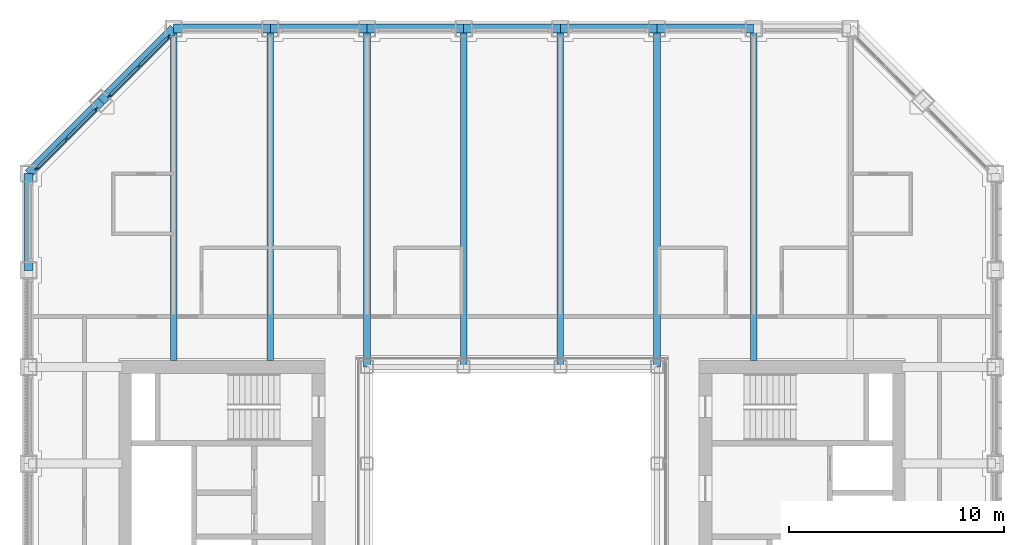
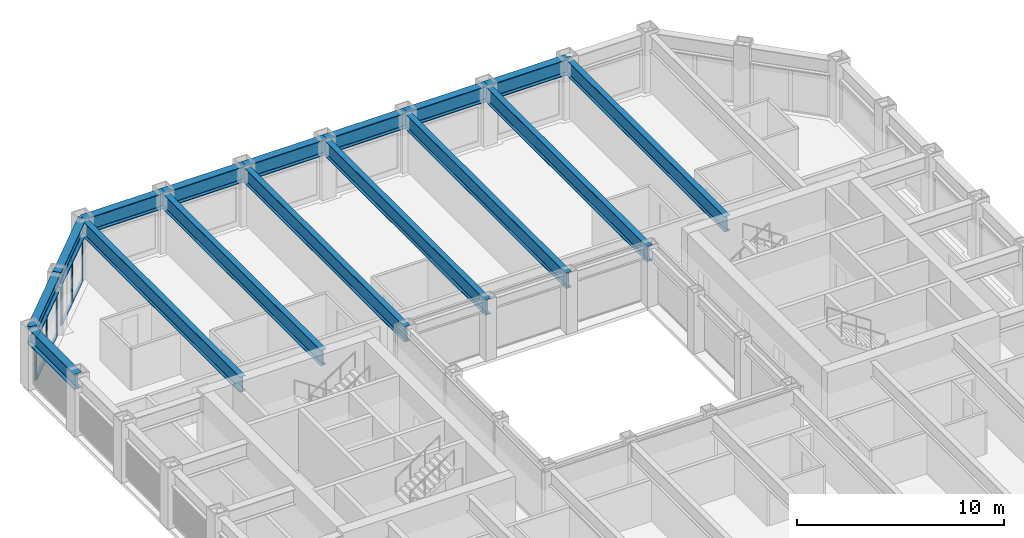
# One storey, part 7 of 17: 16 beams, 14 members, 2 elements without a shape of their own.
"""IFC4 building model written with IfcOpenShell, lengths in metres."""

from ifc_helpers import new_model, si_unit, direction, frame, origin, origin_2d, place, context, subcontext, project, spatial, rectangle, i_section, extrude, material, material_profile, profile_set, type_object, element, aggregate, save


model = new_model("IFC4")

# Units and contexts
model_context = context("Model", 3, precision=1e-05, world=origin(), true_north=direction((0.0, 1.0)))
body_context = subcontext(model_context, "Body", "Model", "MODEL_VIEW")
ifc_project = project(units=[si_unit("LENGTHUNIT", "METRE"), si_unit("AREAUNIT", "SQUARE_METRE"), si_unit("VOLUMEUNIT", "CUBIC_METRE"), si_unit("PLANEANGLEUNIT", "RADIAN"), si_unit("MASSUNIT", "GRAM", prefix="KILO")], contexts=[model_context])

# Site, building, storey
site_placement = place(None, origin())
site = spatial("IfcSite", under=ifc_project, at=site_placement, CompositionType="ELEMENT")
building_placement = place(site_placement, origin())
building = spatial("IfcBuilding", under=site, at=building_placement, Name="Msasa Ring Tower", CompositionType="ELEMENT")
storey_placement = place(building_placement, frame((0.0, 0.0, 136.39990234375)))
storey = spatial("IfcBuildingStorey", under=building, at=storey_placement, Name="L35", CompositionType="ELEMENT", Elevation=136.39990234375)

# Curtain wall, members
ifc_material_1 = material(Name="Aluminium curtain wall with clear glass", Category="aluminium")
curtain_wall_type = type_object("IfcCurtainWallType", Name="CW-C CHAMFER CORNER CURTAIN WALL", PredefinedType="NOTDEFINED", material=ifc_material_1)
curtain_wall_1_placement = place(storey_placement, origin())
curtain_wall_1 = element("IfcCurtainWall", 1, at=curtain_wall_1_placement, inside=storey, type_object=curtain_wall_type, Name="Chamfer corner curtain wall NW L35", PredefinedType="NOTDEFINED")
ifc_material_2 = material(Name="Aluminium mullion", Category="aluminium")
ifc_material_profile_1 = material_profile(ifc_material_2, rectangle(XDim=0.06494140625, YDim=0.179931640625, at=origin_2d()), Name="AL 65x180")
ifc_profile_set_1 = profile_set([ifc_material_profile_1], Name="Aluminium mullion")
member_type_1 = type_object("IfcMemberType", Name="CW-C MULLION 65x180", PredefinedType="MULLION", material=ifc_profile_set_1)
member_1_placement = place(storey_placement, frame((-19.36376953125, 18.744873046875, 0.0), z_axis=(0.0, 0.0, 1.0), x_axis=(0.707106781187, -0.707106781187, 0.0)))
member_1 = element("IfcMember", 2, at=member_1_placement, type_object=member_type_1, Name="CW-C mullion 1", PredefinedType="MULLION", context=body_context, shape_type="SweptSolid", body=[
    extrude(rectangle(XDim=0.06494140625, YDim=0.179931640625, at=origin_2d()), origin(), (0.0, 0.0, 1.0), 2.47900390625),
])
member_2_placement = place(storey_placement, frame((-20.74169921875, 17.36669921875, 0.0), z_axis=(0.0, 0.0, 1.0), x_axis=(0.707106781187, -0.707106781187, 0.0)))
member_2 = element("IfcMember", 3, at=member_2_placement, type_object=member_type_1, Name="CW-C mullion 2", PredefinedType="MULLION", context=body_context, shape_type="SweptSolid", body=[
    extrude(rectangle(XDim=0.06494140625, YDim=0.179931640625, at=origin_2d()), origin(), (0.0, 0.0, 1.0), 2.47900390625),
])
member_3_placement = place(storey_placement, frame((-22.119873046875, 15.98876953125, 0.0), z_axis=(0.0, 0.0, 1.0), x_axis=(0.707106781187, -0.707106781187, 0.0)))
member_3 = element("IfcMember", 4, at=member_3_placement, type_object=member_type_1, Name="CW-C mullion 3", PredefinedType="MULLION", context=body_context, shape_type="SweptSolid", body=[
    extrude(rectangle(XDim=0.06494140625, YDim=0.179931640625, at=origin_2d()), origin(), (0.0, 0.0, 1.0), 2.47900390625),
])

curtain_wall_2_placement = place(storey_placement, origin())
curtain_wall_2 = element("IfcCurtainWall", 5, at=curtain_wall_2_placement, inside=storey, type_object=curtain_wall_type, Name="Chamfer corner curtain wall NW L35", PredefinedType="NOTDEFINED")
member_4_placement = place(storey_placement, frame((-15.98876953125, 22.119873046875, 0.0), z_axis=(0.0, 0.0, 1.0), x_axis=(0.707106781187, -0.707106781187, 0.0)))
member_4 = element("IfcMember", 6, at=member_4_placement, type_object=member_type_1, Name="CW-C mullion 1", PredefinedType="MULLION", context=body_context, shape_type="SweptSolid", body=[
    extrude(rectangle(XDim=0.06494140625, YDim=0.179931640625, at=origin_2d()), origin(), (0.0, 0.0, 1.0), 2.47900390625),
])
member_5_placement = place(storey_placement, frame((-17.36669921875, 20.74169921875, 0.0), z_axis=(0.0, 0.0, 1.0), x_axis=(0.707106781187, -0.707106781187, 0.0)))
member_5 = element("IfcMember", 7, at=member_5_placement, type_object=member_type_1, Name="CW-C mullion 2", PredefinedType="MULLION", context=body_context, shape_type="SweptSolid", body=[
    extrude(rectangle(XDim=0.06494140625, YDim=0.179931640625, at=origin_2d()), origin(), (0.0, 0.0, 1.0), 2.47900390625),
])
member_6_placement = place(storey_placement, frame((-18.744873046875, 19.36376953125, 0.0), z_axis=(0.0, 0.0, 1.0), x_axis=(0.707106781187, -0.707106781187, 0.0)))
member_6 = element("IfcMember", 8, at=member_6_placement, type_object=member_type_1, Name="CW-C mullion 3", PredefinedType="MULLION", context=body_context, shape_type="SweptSolid", body=[
    extrude(rectangle(XDim=0.06494140625, YDim=0.179931640625, at=origin_2d()), origin(), (0.0, 0.0, 1.0), 2.47900390625),
])

# Member
ifc_material_3 = material(Name="Aluminium transom", Category="aluminium")
ifc_material_profile_2 = material_profile(ifc_material_3, rectangle(XDim=0.139892578125, YDim=0.06494140625, at=origin_2d()), Name="AL 65x140")
ifc_profile_set_2 = profile_set([ifc_material_profile_2], Name="Aluminium transom")
member_type_2 = type_object("IfcMemberType", Name="CW-C TRANSOM 65x140", PredefinedType="USERDEFINED", material=ifc_profile_set_2)
member_7_placement = place(storey_placement, frame((-19.38671875, 18.721923828125, 0.03271484375), z_axis=(-0.707106781187, -0.707106781187, 0.0), x_axis=(0.707106781187, -0.707106781187, 0.0)))
member_7 = element("IfcMember", 9, at=member_7_placement, type_object=member_type_2, Name="CW-C transom 1.1", ObjectType="TRANSOM", PredefinedType="USERDEFINED", context=body_context, shape_type="SweptSolid", body=[
    extrude(rectangle(XDim=0.139892578125, YDim=0.06494140625, at=origin_2d()), origin(), (0.0, 0.0, 1.0), 1.8837890625),
])

member_8_placement = place(storey_placement, frame((-19.38671875, 18.721923828125, 2.446533203125), z_axis=(-0.707106781187, -0.707106781187, 0.0), x_axis=(0.707106781187, -0.707106781187, 0.0)))
member_8 = element("IfcMember", 10, at=member_8_placement, type_object=member_type_2, Name="CW-C transom 1.2", ObjectType="TRANSOM", PredefinedType="USERDEFINED", context=body_context, shape_type="SweptSolid", body=[
    extrude(rectangle(XDim=0.139892578125, YDim=0.06494140625, at=origin_2d()), origin(), (0.0, 0.0, 1.0), 1.8837890625),
])

member_9_placement = place(storey_placement, frame((-20.764892578125, 17.34375, 0.03271484375), z_axis=(-0.707106781187, -0.707106781187, 0.0), x_axis=(0.707106781187, -0.707106781187, 0.0)))
member_9 = element("IfcMember", 11, at=member_9_placement, type_object=member_type_2, Name="CW-C transom 2.1", ObjectType="TRANSOM", PredefinedType="USERDEFINED", context=body_context, shape_type="SweptSolid", body=[
    extrude(rectangle(XDim=0.139892578125, YDim=0.06494140625, at=origin_2d()), origin(), (0.0, 0.0, 1.0), 1.8837890625),
])

member_10_placement = place(storey_placement, frame((-20.764892578125, 17.34375, 2.446533203125), z_axis=(-0.707106781187, -0.707106781187, 0.0), x_axis=(0.707106781187, -0.707106781187, 0.0)))
member_10 = element("IfcMember", 12, at=member_10_placement, type_object=member_type_2, Name="CW-C transom 2.2", ObjectType="TRANSOM", PredefinedType="USERDEFINED", context=body_context, shape_type="SweptSolid", body=[
    extrude(rectangle(XDim=0.139892578125, YDim=0.06494140625, at=origin_2d()), origin(), (0.0, 0.0, 1.0), 1.8837890625),
])

aggregate(curtain_wall_1, [member_1, member_2, member_3, member_7, member_8, member_9, member_10])

member_11_placement = place(storey_placement, frame((-16.01171875, 22.096923828125, 0.03271484375), z_axis=(-0.707106781187, -0.707106781187, 0.0), x_axis=(0.707106781187, -0.707106781187, 0.0)))
member_11 = element("IfcMember", 13, at=member_11_placement, type_object=member_type_2, Name="CW-C transom 1.1", ObjectType="TRANSOM", PredefinedType="USERDEFINED", context=body_context, shape_type="SweptSolid", body=[
    extrude(rectangle(XDim=0.139892578125, YDim=0.06494140625, at=origin_2d()), origin(), (0.0, 0.0, 1.0), 1.8837890625),
])

member_12_placement = place(storey_placement, frame((-16.01171875, 22.096923828125, 2.446533203125), z_axis=(-0.707106781187, -0.707106781187, 0.0), x_axis=(0.707106781187, -0.707106781187, 0.0)))
member_12 = element("IfcMember", 14, at=member_12_placement, type_object=member_type_2, Name="CW-C transom 1.2", ObjectType="TRANSOM", PredefinedType="USERDEFINED", context=body_context, shape_type="SweptSolid", body=[
    extrude(rectangle(XDim=0.139892578125, YDim=0.06494140625, at=origin_2d()), origin(), (0.0, 0.0, 1.0), 1.8837890625),
])

member_13_placement = place(storey_placement, frame((-17.389892578125, 20.71875, 0.03271484375), z_axis=(-0.707106781187, -0.707106781187, 0.0), x_axis=(0.707106781187, -0.707106781187, 0.0)))
member_13 = element("IfcMember", 15, at=member_13_placement, type_object=member_type_2, Name="CW-C transom 2.1", ObjectType="TRANSOM", PredefinedType="USERDEFINED", context=body_context, shape_type="SweptSolid", body=[
    extrude(rectangle(XDim=0.139892578125, YDim=0.06494140625, at=origin_2d()), origin(), (0.0, 0.0, 1.0), 1.8837890625),
])

member_14_placement = place(storey_placement, frame((-17.389892578125, 20.71875, 2.446533203125), z_axis=(-0.707106781187, -0.707106781187, 0.0), x_axis=(0.707106781187, -0.707106781187, 0.0)))
member_14 = element("IfcMember", 16, at=member_14_placement, type_object=member_type_2, Name="CW-C transom 2.2", ObjectType="TRANSOM", PredefinedType="USERDEFINED", context=body_context, shape_type="SweptSolid", body=[
    extrude(rectangle(XDim=0.139892578125, YDim=0.06494140625, at=origin_2d()), origin(), (0.0, 0.0, 1.0), 1.8837890625),
])

aggregate(curtain_wall_2, [member_4, member_5, member_6, member_11, member_12, member_13, member_14])

# Beams
ifc_material_4 = material(Name="Steel S355", Category="steel")
ifc_material_profile_3 = material_profile(ifc_material_4, i_section(OverallWidth=0.3076171875, OverallDepth=0.926513671875, WebThickness=0.01953125, FlangeThickness=0.031982421875, FilletRadius=0.01904296875, at=origin_2d()), Name="UB 914x305x289")
ifc_profile_set_3 = profile_set([ifc_material_profile_3], Name="Steel S355")
beam_type_1 = type_object("IfcBeamType", Name="FB3 UB 914x305x289", PredefinedType="BEAM", material=ifc_profile_set_3)
for number, where, z_axis, x_axis, name in (
    (17, (-15.75, 22.5, 2.936767578125), (0.0, -1.0, 0.0), (1.0, 0.0, 0.0), "Floor beam N-15.75 under L36"),
    (18, (-11.25, 22.5, 2.936767578125), (0.0, -1.0, 0.0), (1.0, 0.0, 0.0), "Floor beam N-11.25 under L36"),
):
    element("IfcBeam", number, at=place(storey_placement, frame(where, z_axis=z_axis, x_axis=x_axis)), inside=storey, type_object=beam_type_1, Name=name, PredefinedType="BEAM", context=body_context, shape_type="SweptSolid", body=[
        extrude(i_section(OverallWidth=0.3076171875, OverallDepth=0.926513671875, WebThickness=0.01953125, FlangeThickness=0.031982421875, FilletRadius=0.01904296875, at=origin_2d()), origin(), (0.0, 0.0, 1.0), 15.449951171875),
    ])
for number, where, z_axis, x_axis, name in (
    (19, (-6.75, 22.5, 2.936767578125), (0.0, -1.0, 0.0), (1.0, 0.0, 0.0), "Floor beam N-6.75 under L36"),
    (20, (-2.25, 22.5, 2.936767578125), (0.0, -1.0, 0.0), (1.0, 0.0, 0.0), "Floor beam N-2.25 under L36"),
    (21, (2.25, 22.5, 2.936767578125), (0.0, -1.0, 0.0), (1.0, 0.0, 0.0), "Floor beam N+2.25 under L36"),
    (22, (6.75, 22.5, 2.936767578125), (0.0, -1.0, 0.0), (1.0, 0.0, 0.0), "Floor beam N+6.75 under L36"),
):
    element("IfcBeam", number, at=place(storey_placement, frame(where, z_axis=z_axis, x_axis=x_axis)), inside=storey, type_object=beam_type_1, Name=name, PredefinedType="BEAM", context=body_context, shape_type="SweptSolid", body=[
        extrude(i_section(OverallWidth=0.3076171875, OverallDepth=0.926513671875, WebThickness=0.01953125, FlangeThickness=0.031982421875, FilletRadius=0.01904296875, at=origin_2d()), origin(), (0.0, 0.0, 1.0), 15.75),
    ])
beam_1_placement = place(storey_placement, frame((11.25, 22.5, 2.936767578125), z_axis=(0.0, -1.0, 0.0), x_axis=(1.0, 0.0, 0.0)))
element("IfcBeam", 23, at=beam_1_placement, inside=storey, type_object=beam_type_1, Name="Floor beam N+11.25 under L36", PredefinedType="BEAM", context=body_context, shape_type="SweptSolid", body=[
    extrude(i_section(OverallWidth=0.3076171875, OverallDepth=0.926513671875, WebThickness=0.01953125, FlangeThickness=0.031982421875, FilletRadius=0.01904296875, at=origin_2d()), origin(), (0.0, 0.0, 1.0), 15.449951171875),
])
ifc_material_5 = material(Name="Steel S355", Category="steel")
ifc_material_profile_4 = material_profile(ifc_material_5, i_section(OverallWidth=0.42041015625, OverallDepth=0.9208984375, WebThickness=0.021484375, FlangeThickness=0.03662109375, FilletRadius=0.024169921875, at=origin_2d()), Name="UB 914x419x388")
ifc_profile_set_4 = profile_set([ifc_material_profile_4], Name="Steel S355")
beam_type_2 = type_object("IfcBeamType", Name="SB1 UB 914x419x388", PredefinedType="SPANDREL", material=ifc_profile_set_4)
for number, where, z_axis, x_axis, name in (
    (24, (11.25, 22.5, 2.939697265625), (-1.0, 0.0, 0.0), (0.0, -1.0, 0.0), "Spandrel N+11.25 to N+6.75 under L36"),
    (25, (6.75, 22.5, 2.939697265625), (-1.0, 0.0, 0.0), (0.0, -1.0, 0.0), "Spandrel N+6.75 to N+2.25 under L36"),
    (26, (2.25, 22.5, 2.939697265625), (-1.0, 0.0, 0.0), (0.0, -1.0, 0.0), "Spandrel N+2.25 to N-2.25 under L36"),
    (27, (-2.25, 22.5, 2.939697265625), (-1.0, 0.0, 0.0), (0.0, -1.0, 0.0), "Spandrel N-2.25 to N-6.75 under L36"),
    (28, (-6.75, 22.5, 2.939697265625), (-1.0, 0.0, 0.0), (0.0, -1.0, 0.0), "Spandrel N-6.75 to N-11.25 under L36"),
    (29, (-11.25, 22.5, 2.939697265625), (-1.0, 0.0, 0.0), (0.0, -1.0, 0.0), "Spandrel N-11.25 to N-15.75 under L36"),
):
    element("IfcBeam", number, at=place(storey_placement, frame(where, z_axis=z_axis, x_axis=x_axis)), inside=storey, type_object=beam_type_2, Name=name, PredefinedType="SPANDREL", context=body_context, shape_type="SweptSolid", body=[
        extrude(i_section(OverallWidth=0.42041015625, OverallDepth=0.9208984375, WebThickness=0.021484375, FlangeThickness=0.03662109375, FilletRadius=0.024169921875, at=origin_2d()), origin(), (0.0, 0.0, 1.0), 4.5),
    ])
for number, where, z_axis, x_axis, name in (
    (30, (-15.75, 22.5, 2.939697265625), (-0.707106781187, -0.707106781187, 0.0), (0.707106781187, -0.707106781187, 0.0), "Spandrel N-15.75 to NW under L36"),
    (31, (-19.125, 19.125, 2.939697265625), (-0.707106781187, -0.707106781187, 0.0), (0.707106781187, -0.707106781187, 0.0), "Spandrel NW to W+15.75 under L36"),
):
    element("IfcBeam", number, at=place(storey_placement, frame(where, z_axis=z_axis, x_axis=x_axis)), inside=storey, type_object=beam_type_2, Name=name, PredefinedType="SPANDREL", context=body_context, shape_type="SweptSolid", body=[
        extrude(i_section(OverallWidth=0.42041015625, OverallDepth=0.9208984375, WebThickness=0.021484375, FlangeThickness=0.03662109375, FilletRadius=0.024169921875, at=origin_2d()), origin(), (0.0, 0.0, 1.0), 4.77294921875),
    ])
beam_2_placement = place(storey_placement, frame((-22.5, 15.75, 2.939697265625), z_axis=(0.0, -1.0, 0.0), x_axis=(1.0, 0.0, 0.0)))
element("IfcBeam", 32, at=beam_2_placement, inside=storey, type_object=beam_type_2, Name="Spandrel W+15.75 to W+11.25 under L36", PredefinedType="SPANDREL", context=body_context, shape_type="SweptSolid", body=[
    extrude(i_section(OverallWidth=0.42041015625, OverallDepth=0.9208984375, WebThickness=0.021484375, FlangeThickness=0.03662109375, FilletRadius=0.024169921875, at=origin_2d()), origin(), (0.0, 0.0, 1.0), 4.5),
])

save(model, "model.ifc")
